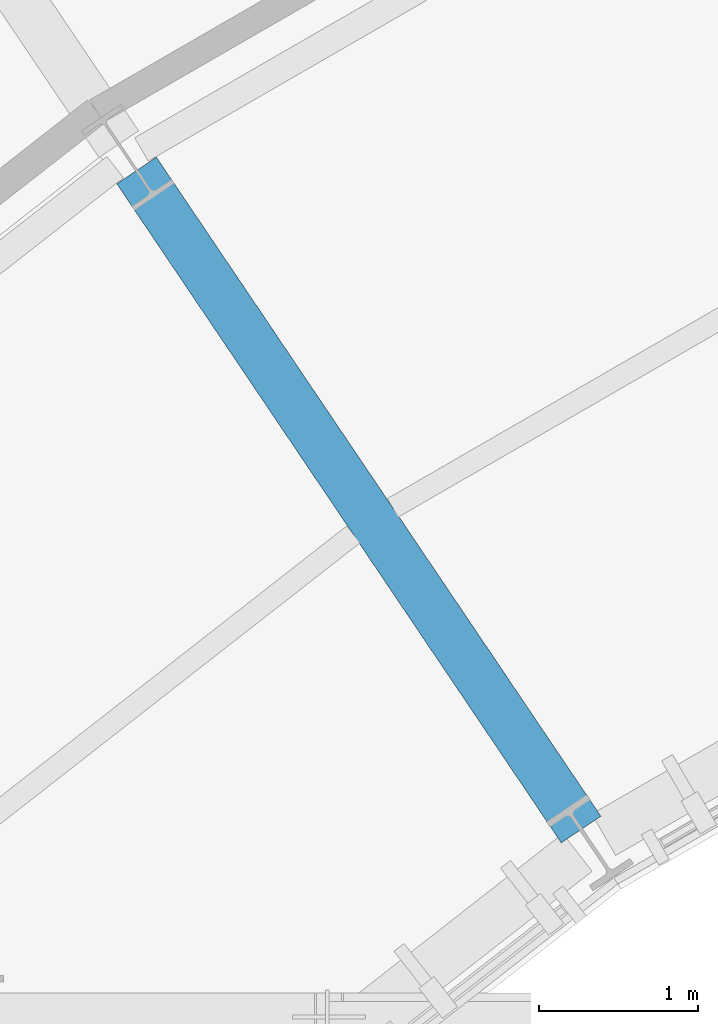
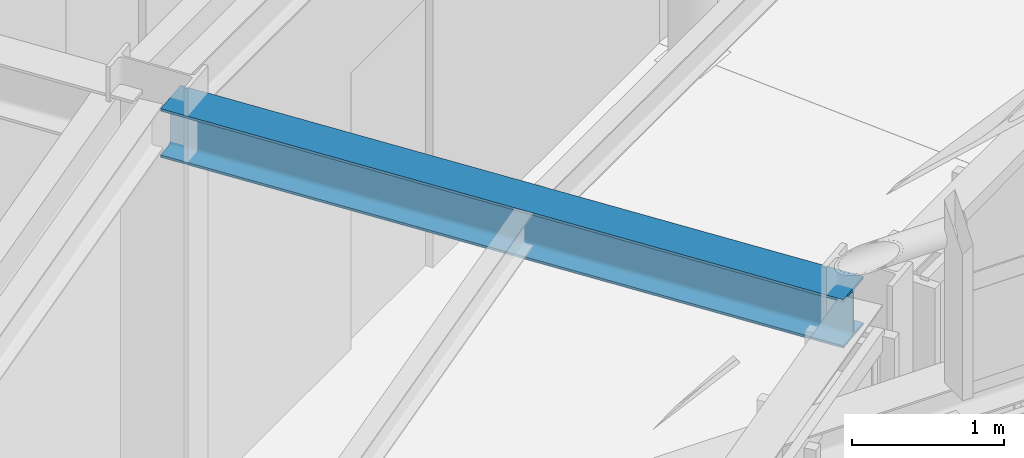
# One storey, part 27 of 148: 1 beam.
"""IFC4 building model written with IfcOpenShell, lengths in metres."""

from ifc_helpers import new_model, si_unit, direction, frame, origin, origin_2d, place, context, subcontext, project, spatial, i_section, extrude, material, material_profile, profile_set, type_object, element, save


model = new_model("IFC4")

# Units and contexts
model_context = context("Model", 3, precision=1e-05, world=origin(), true_north=direction((0.0, 1.0)))
body_context = subcontext(model_context, "Body", "Model", "MODEL_VIEW")
ifc_project = project(units=[si_unit("LENGTHUNIT", "METRE"), si_unit("AREAUNIT", "SQUARE_METRE"), si_unit("VOLUMEUNIT", "CUBIC_METRE"), si_unit("PLANEANGLEUNIT", "RADIAN"), si_unit("MASSUNIT", "GRAM", prefix="KILO"), si_unit("THERMODYNAMICTEMPERATUREUNIT", "KELVIN"), si_unit("POWERUNIT", "WATT")], contexts=[model_context])

# Site, building, storey
site_placement = place(None, origin())
site = spatial("IfcSite", under=ifc_project, at=site_placement, CompositionType="ELEMENT")
building_placement = place(site_placement, origin())
building = spatial("IfcBuilding", under=site, at=building_placement, Name="Solvatero Civic Police Headquarters", CompositionType="ELEMENT")
storey_placement = place(building_placement, frame((0.0, 0.0, 5.10009765625)))
storey = spatial("IfcBuildingStorey", under=building, at=storey_placement, Name="L01", CompositionType="ELEMENT", Elevation=5.10009765625)

# Beam
ifc_material = material(Name="Steel S355", Category="steel")
ifc_material_profile = material_profile(ifc_material, i_section(OverallWidth=0.300048828125, OverallDepth=0.389892578125, WebThickness=0.010986328125, FlangeThickness=0.01904296875, FilletRadius=0.027099609375, at=origin_2d()), Name="HEA 400")
ifc_profile_set = profile_set([ifc_material_profile], Name="Steel S355")
beam_type = type_object("IfcBeamType", Name="BM-ST-HEA400", PredefinedType="BEAM", material=ifc_profile_set)
beam_placement = place(storey_placement, frame((68.584716796875, 63.6796875, 3.784912109375), z_axis=(-0.559176791171, 0.829048440211, 0.0), x_axis=(-0.829048440211, -0.559176791171, 0.0)))
element("IfcBeam", 1, at=beam_placement, inside=storey, type_object=beam_type, Name="Primary girder BM-R2-L01-ARC-RAD1-S05", PredefinedType="BEAM", context=body_context, shape_type="SweptSolid", body=[
    extrude(i_section(OverallWidth=0.300048828125, OverallDepth=0.389892578125, WebThickness=0.010986328125, FlangeThickness=0.01904296875, FilletRadius=0.027099609375, at=origin_2d()), origin(), (0.0, 0.0, 1.0), 5.0),
])

save(model, "model.ifc")
